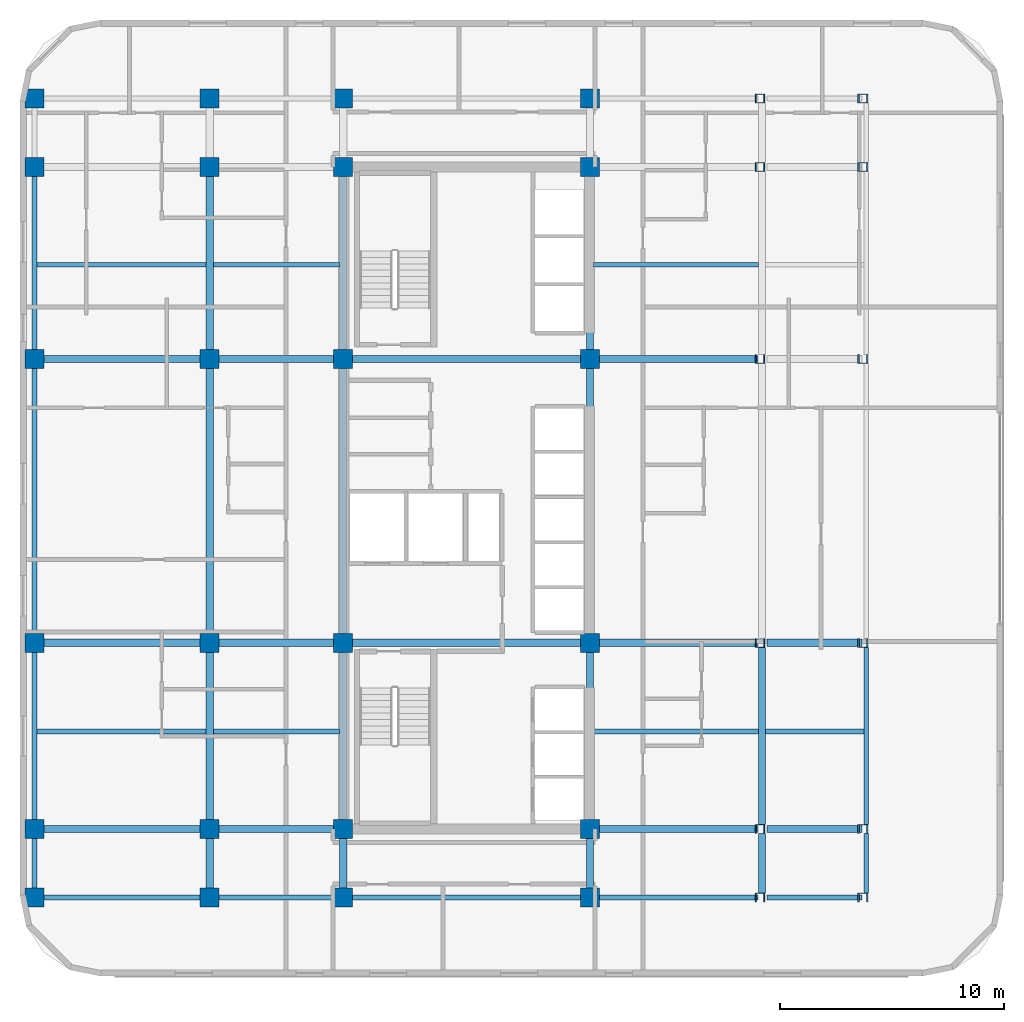
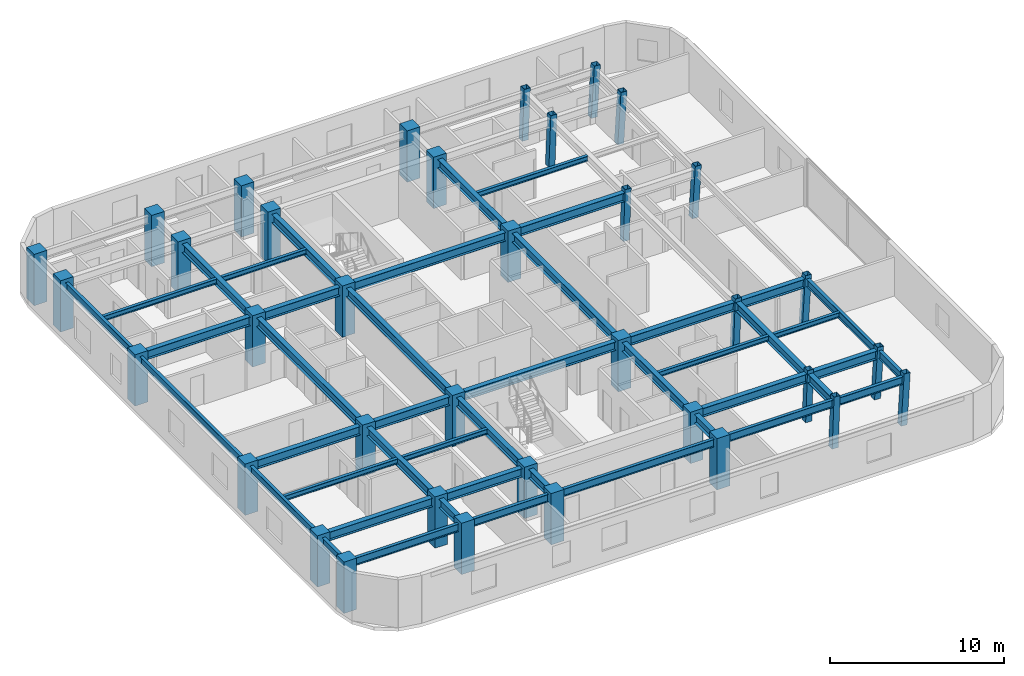
# One storey, part 1 of 12: 45 beams, 36 columns.
"""IFC4 building model written with IfcOpenShell, lengths in metres."""

from ifc_helpers import new_model, si_unit, direction, frame, origin, origin_2d, place, context, subcontext, project, spatial, rectangle, hollow_rectangle, i_section, extrude, material, material_profile, profile_set, type_object, element, save


model = new_model("IFC4")

# Units and contexts
model_context = context("Model", 3, precision=1e-05, world=origin(), true_north=direction((0.0, 1.0)))
body_context = subcontext(model_context, "Body", "Model", "MODEL_VIEW")
ifc_project = project(units=[si_unit("LENGTHUNIT", "METRE"), si_unit("AREAUNIT", "SQUARE_METRE"), si_unit("VOLUMEUNIT", "CUBIC_METRE"), si_unit("PLANEANGLEUNIT", "RADIAN"), si_unit("MASSUNIT", "GRAM", prefix="KILO")], contexts=[model_context])

# Site, building, storey
site_placement = place(None, origin())
site = spatial("IfcSite", under=ifc_project, at=site_placement, CompositionType="ELEMENT")
building_placement = place(site_placement, origin())
building = spatial("IfcBuilding", under=site, at=building_placement, Name="Ochreholt Gables", CompositionType="ELEMENT")
storey_placement = place(building_placement, frame((0.0, 0.0, 80.39990234375)))
storey = spatial("IfcBuildingStorey", under=building, at=storey_placement, Name="L20", CompositionType="ELEMENT", Elevation=80.39990234375)

# Columns
ifc_material_1 = material(Name="Steel CSA G40.21 350W", Category="steel")
ifc_material_profile_1 = material_profile(ifc_material_1, hollow_rectangle(XDim=0.406005859375, YDim=0.406005859375, WallThickness=0.01611328125, at=origin_2d()), Name="HSS406X406X16")
ifc_profile_set_1 = profile_set([ifc_material_profile_1], Name="Steel CSA G40.21 350W")
column_type_1 = type_object("IfcColumnType", Name="COL-HSS406-RAK", PredefinedType="COLUMN", material=ifc_profile_set_1)
for number, where, z_axis, x_axis, name in (
    (1, (42.75, 9.25, 0.0), (0.034971136209, 0.0, 0.999388322742), (0.0, 1.0, 0.0), "L20 Column EMY2"),
    (2, (42.75, 17.550048828125, 0.0), (0.034971136209, 0.0, 0.999388322742), (0.0, 1.0, 0.0), "L20 Column EMY3"),
    (3, (42.75, 30.199951171875, 0.0), (0.034971136209, 0.0, 0.999388322742), (0.0, 1.0, 0.0), "L20 Column EMY4"),
    (4, (42.75, 38.75, 0.0), (0.034971136209, 0.0, 0.999388322742), (0.0, 1.0, 0.0), "L20 Column EMY5"),
):
    element("IfcColumn", number, at=place(storey_placement, frame(where, z_axis=z_axis, x_axis=x_axis)), inside=storey, type_object=column_type_1, Name=name, PredefinedType="COLUMN", context=body_context, shape_type="SweptSolid", body=[
        extrude(hollow_rectangle(XDim=0.406005859375, YDim=0.406005859375, WallThickness=0.01611328125, at=origin_2d()), origin(), (0.0, 0.0, 1.0), 3.602294921875),
    ])
ifc_material_profile_2 = material_profile(ifc_material_1, hollow_rectangle(XDim=0.406005859375, YDim=0.406005859375, WallThickness=0.01611328125, at=origin_2d()), Name="HSS406X406X16")
ifc_profile_set_2 = profile_set([ifc_material_profile_2], Name="Steel CSA G40.21 350W")
column_type_2 = type_object("IfcColumnType", Name="COL-HSS406-RAKE", PredefinedType="COLUMN", material=ifc_profile_set_2)
for number, where, z_axis, x_axis, name in (
    (5, (42.75, 6.199951171875, 0.0), (0.034971136209, 0.0, 0.999388322742), (0.0, 1.0, 0.0), "L20 Column EMY1"),
    (6, (42.75, 41.800048828125, 0.0), (0.034971136209, 0.0, 0.999388322742), (0.0, 1.0, 0.0), "L20 Column EMY6"),
):
    element("IfcColumn", number, at=place(storey_placement, frame(where, z_axis=z_axis, x_axis=x_axis)), inside=storey, type_object=column_type_2, Name=name, PredefinedType="COLUMN", context=body_context, shape_type="SweptSolid", body=[
        extrude(hollow_rectangle(XDim=0.406005859375, YDim=0.406005859375, WallThickness=0.01611328125, at=origin_2d()), origin(), (0.0, 0.0, 1.0), 3.602294921875),
    ])
for number, where, z_axis, x_axis, name in (
    (7, (47.320068359375, 6.199951171875, 0.0), (0.057884606321, 0.0, 0.998323280481), (0.0, 1.0, 0.0), "L20 Column EEY1"),
    (8, (47.320068359375, 9.25, 0.0), (0.057884606321, 0.0, 0.998323280481), (0.0, 1.0, 0.0), "L20 Column EEY2"),
    (9, (47.320068359375, 17.550048828125, 0.0), (0.057884606321, 0.0, 0.998323280481), (0.0, 1.0, 0.0), "L20 Column EEY3"),
    (10, (47.320068359375, 30.199951171875, 0.0), (0.057884606321, 0.0, 0.998323280481), (0.0, 1.0, 0.0), "L20 Column EEY4"),
    (11, (47.320068359375, 38.75, 0.0), (0.057884606321, 0.0, 0.998323280481), (0.0, 1.0, 0.0), "L20 Column EEY5"),
    (12, (47.320068359375, 41.800048828125, 0.0), (0.057884606321, 0.0, 0.998323280481), (0.0, 1.0, 0.0), "L20 Column EEY6"),
):
    element("IfcColumn", number, at=place(storey_placement, frame(where, z_axis=z_axis, x_axis=x_axis)), inside=storey, type_object=column_type_2, Name=name, PredefinedType="COLUMN", context=body_context, shape_type="SweptSolid", body=[
        extrude(hollow_rectangle(XDim=0.406005859375, YDim=0.406005859375, WallThickness=0.01611328125, at=origin_2d()), origin(), (0.0, 0.0, 1.0), 3.606201171875),
    ])
ifc_material_2 = material(Name="Concrete 60 MPa", Category="concrete")
ifc_material_profile_3 = material_profile(ifc_material_2, rectangle(XDim=0.85009765625, YDim=0.85009765625, at=origin_2d()), Name="RC850X850")
ifc_profile_set_3 = profile_set([ifc_material_profile_3], Name="Concrete 60 MPa")
column_type_3 = type_object("IfcColumnType", Name="COL-RC850-EXT", PredefinedType="COLUMN", material=ifc_profile_set_3)
for number, where, z_axis, x_axis, name in (
    (13, (10.449951171875, 6.199951171875, 0.0), (0.0, 0.0, 1.0), (1.0, 0.0, 0.0), "L20 Column W2Y1"),
    (14, (10.449951171875, 9.25, 0.0), (0.0, 0.0, 1.0), (1.0, 0.0, 0.0), "L20 Column W2Y2"),
    (15, (10.449951171875, 17.550048828125, 0.0), (0.0, 0.0, 1.0), (1.0, 0.0, 0.0), "L20 Column W2Y3"),
    (16, (10.449951171875, 30.199951171875, 0.0), (0.0, 0.0, 1.0), (1.0, 0.0, 0.0), "L20 Column W2Y4"),
    (17, (10.449951171875, 38.75, 0.0), (0.0, 0.0, 1.0), (1.0, 0.0, 0.0), "L20 Column W2Y5"),
    (18, (10.449951171875, 41.800048828125, 0.0), (0.0, 0.0, 1.0), (1.0, 0.0, 0.0), "L20 Column W2Y6"),
    (19, (18.25, 6.199951171875, 0.0), (0.0, 0.0, 1.0), (1.0, 0.0, 0.0), "L20 Column W3Y1"),
    (20, (18.25, 41.800048828125, 0.0), (0.0, 0.0, 1.0), (1.0, 0.0, 0.0), "L20 Column W3Y6"),
    (21, (24.199951171875, 6.199951171875, 0.0), (0.0, 0.0, 1.0), (1.0, 0.0, 0.0), "L20 Column C1Y1"),
    (22, (24.199951171875, 41.800048828125, 0.0), (0.0, 0.0, 1.0), (1.0, 0.0, 0.0), "L20 Column C1Y6"),
    (23, (35.199951171875, 6.199951171875, 0.0), (0.0, 0.0, 1.0), (1.0, 0.0, 0.0), "L20 Column C2Y1"),
    (24, (35.199951171875, 41.800048828125, 0.0), (0.0, 0.0, 1.0), (1.0, 0.0, 0.0), "L20 Column C2Y6"),
):
    element("IfcColumn", number, at=place(storey_placement, frame(where, z_axis=z_axis, x_axis=x_axis)), inside=storey, type_object=column_type_3, Name=name, PredefinedType="COLUMN", context=body_context, shape_type="SweptSolid", body=[
        extrude(rectangle(XDim=0.85009765625, YDim=0.85009765625, at=origin_2d()), origin(), (0.0, 0.0, 1.0), 3.60009765625),
    ])
ifc_material_profile_4 = material_profile(ifc_material_2, rectangle(XDim=0.85009765625, YDim=0.85009765625, at=origin_2d()), Name="RC850X850")
ifc_profile_set_4 = profile_set([ifc_material_profile_4], Name="Concrete 60 MPa")
column_type_4 = type_object("IfcColumnType", Name="COL-RC850-INT", PredefinedType="COLUMN", material=ifc_profile_set_4)
for number, where, z_axis, x_axis, name in (
    (25, (18.25, 9.25, 0.0), (0.0, 0.0, 1.0), (1.0, 0.0, 0.0), "L20 Column W3Y2"),
    (26, (18.25, 17.550048828125, 0.0), (0.0, 0.0, 1.0), (1.0, 0.0, 0.0), "L20 Column W3Y3"),
    (27, (18.25, 30.199951171875, 0.0), (0.0, 0.0, 1.0), (1.0, 0.0, 0.0), "L20 Column W3Y4"),
    (28, (18.25, 38.75, 0.0), (0.0, 0.0, 1.0), (1.0, 0.0, 0.0), "L20 Column W3Y5"),
    (29, (24.199951171875, 9.25, 0.0), (0.0, 0.0, 1.0), (1.0, 0.0, 0.0), "L20 Column C1Y2"),
    (30, (24.199951171875, 17.550048828125, 0.0), (0.0, 0.0, 1.0), (1.0, 0.0, 0.0), "L20 Column C1Y3"),
    (31, (24.199951171875, 30.199951171875, 0.0), (0.0, 0.0, 1.0), (1.0, 0.0, 0.0), "L20 Column C1Y4"),
    (32, (24.199951171875, 38.75, 0.0), (0.0, 0.0, 1.0), (1.0, 0.0, 0.0), "L20 Column C1Y5"),
    (33, (35.199951171875, 9.25, 0.0), (0.0, 0.0, 1.0), (1.0, 0.0, 0.0), "L20 Column C2Y2"),
    (34, (35.199951171875, 17.550048828125, 0.0), (0.0, 0.0, 1.0), (1.0, 0.0, 0.0), "L20 Column C2Y3"),
    (35, (35.199951171875, 30.199951171875, 0.0), (0.0, 0.0, 1.0), (1.0, 0.0, 0.0), "L20 Column C2Y4"),
    (36, (35.199951171875, 38.75, 0.0), (0.0, 0.0, 1.0), (1.0, 0.0, 0.0), "L20 Column C2Y5"),
):
    element("IfcColumn", number, at=place(storey_placement, frame(where, z_axis=z_axis, x_axis=x_axis)), inside=storey, type_object=column_type_4, Name=name, PredefinedType="COLUMN", context=body_context, shape_type="SweptSolid", body=[
        extrude(rectangle(XDim=0.85009765625, YDim=0.85009765625, at=origin_2d()), origin(), (0.0, 0.0, 1.0), 3.60009765625),
    ])

# Beams
ifc_material_profile_5 = material_profile(ifc_material_1, i_section(OverallWidth=0.323974609375, OverallDepth=0.611083984375, WebThickness=0.0126953125, FlangeThickness=0.01904296875, at=origin_2d()), Name="W610X155")
ifc_profile_set_5 = profile_set([ifc_material_profile_5], Name="Steel CSA G40.21 350W")
beam_type_1 = type_object("IfcBeamType", Name="BM-G-W610A", PredefinedType="BEAM", material=ifc_profile_set_5)
beam_1_placement = place(storey_placement, frame((10.87451171875, 9.25, 3.0546875), z_axis=(1.0, 0.0, 0.0), x_axis=(0.0, 1.0, 0.0)))
element("IfcBeam", 37, at=beam_1_placement, inside=storey, type_object=beam_type_1, Name="L20 Beam TBG-L20-W2W3-Y2", PredefinedType="BEAM", context=body_context, shape_type="SweptSolid", body=[
    extrude(i_section(OverallWidth=0.323974609375, OverallDepth=0.611083984375, WebThickness=0.0126953125, FlangeThickness=0.01904296875, at=origin_2d()), origin(), (0.0, 0.0, 1.0), 6.950927734375),
])
beam_2_placement = place(storey_placement, frame((18.674560546875, 9.25, 3.0546875), z_axis=(1.0, 0.0, 0.0), x_axis=(0.0, 1.0, 0.0)))
element("IfcBeam", 38, at=beam_2_placement, inside=storey, type_object=beam_type_1, Name="L20 Beam TBG-L20-W3C1-Y2", PredefinedType="BEAM", context=body_context, shape_type="SweptSolid", body=[
    extrude(i_section(OverallWidth=0.323974609375, OverallDepth=0.611083984375, WebThickness=0.0126953125, FlangeThickness=0.01904296875, at=origin_2d()), origin(), (0.0, 0.0, 1.0), 5.100830078125),
])
beam_3_placement = place(storey_placement, frame((35.62451171875, 9.25, 3.0546875), z_axis=(1.0, 0.0, 0.0), x_axis=(0.0, 1.0, 0.0)))
element("IfcBeam", 39, at=beam_3_placement, inside=storey, type_object=beam_type_1, Name="L20 Beam TBG-L20-C2EM-Y2", PredefinedType="BEAM", context=body_context, shape_type="SweptSolid", body=[
    extrude(i_section(OverallWidth=0.323974609375, OverallDepth=0.611083984375, WebThickness=0.0126953125, FlangeThickness=0.01904296875, at=origin_2d()), origin(), (0.0, 0.0, 1.0), 7.048828125),
])
beam_4_placement = place(storey_placement, frame((43.07861328125, 9.25, 3.0546875), z_axis=(1.0, 0.0, 0.0), x_axis=(0.0, 1.0, 0.0)))
element("IfcBeam", 40, at=beam_4_placement, inside=storey, type_object=beam_type_1, Name="L20 Beam TBG-L20-EMEE-Y2", PredefinedType="BEAM", context=body_context, shape_type="SweptSolid", body=[
    extrude(i_section(OverallWidth=0.323974609375, OverallDepth=0.611083984375, WebThickness=0.0126953125, FlangeThickness=0.01904296875, at=origin_2d()), origin(), (0.0, 0.0, 1.0), 4.24755859375),
])
beam_5_placement = place(storey_placement, frame((10.87451171875, 17.550048828125, 3.0546875), z_axis=(1.0, 0.0, 0.0), x_axis=(0.0, 1.0, 0.0)))
element("IfcBeam", 41, at=beam_5_placement, inside=storey, type_object=beam_type_1, Name="L20 Beam TBG-L20-W2W3-Y3", PredefinedType="BEAM", context=body_context, shape_type="SweptSolid", body=[
    extrude(i_section(OverallWidth=0.323974609375, OverallDepth=0.611083984375, WebThickness=0.0126953125, FlangeThickness=0.01904296875, at=origin_2d()), origin(), (0.0, 0.0, 1.0), 6.950927734375),
])
beam_6_placement = place(storey_placement, frame((18.674560546875, 17.550048828125, 3.0546875), z_axis=(1.0, 0.0, 0.0), x_axis=(0.0, 1.0, 0.0)))
element("IfcBeam", 42, at=beam_6_placement, inside=storey, type_object=beam_type_1, Name="L20 Beam TBG-L20-W3C1-Y3", PredefinedType="BEAM", context=body_context, shape_type="SweptSolid", body=[
    extrude(i_section(OverallWidth=0.323974609375, OverallDepth=0.611083984375, WebThickness=0.0126953125, FlangeThickness=0.01904296875, at=origin_2d()), origin(), (0.0, 0.0, 1.0), 5.100830078125),
])
beam_7_placement = place(storey_placement, frame((24.62451171875, 17.550048828125, 3.0546875), z_axis=(1.0, 0.0, 0.0), x_axis=(0.0, 1.0, 0.0)))
element("IfcBeam", 43, at=beam_7_placement, inside=storey, type_object=beam_type_1, Name="L20 Beam TBG-L20-C1C2-Y3", PredefinedType="BEAM", context=body_context, shape_type="SweptSolid", body=[
    extrude(i_section(OverallWidth=0.323974609375, OverallDepth=0.611083984375, WebThickness=0.0126953125, FlangeThickness=0.01904296875, at=origin_2d()), origin(), (0.0, 0.0, 1.0), 10.15087890625),
])
beam_8_placement = place(storey_placement, frame((35.62451171875, 17.550048828125, 3.0546875), z_axis=(1.0, 0.0, 0.0), x_axis=(0.0, 1.0, 0.0)))
element("IfcBeam", 44, at=beam_8_placement, inside=storey, type_object=beam_type_1, Name="L20 Beam TBG-L20-C2EM-Y3", PredefinedType="BEAM", context=body_context, shape_type="SweptSolid", body=[
    extrude(i_section(OverallWidth=0.323974609375, OverallDepth=0.611083984375, WebThickness=0.0126953125, FlangeThickness=0.01904296875, at=origin_2d()), origin(), (0.0, 0.0, 1.0), 7.048828125),
])
beam_9_placement = place(storey_placement, frame((43.07861328125, 17.550048828125, 3.0546875), z_axis=(1.0, 0.0, 0.0), x_axis=(0.0, 1.0, 0.0)))
element("IfcBeam", 45, at=beam_9_placement, inside=storey, type_object=beam_type_1, Name="L20 Beam TBG-L20-EMEE-Y3", PredefinedType="BEAM", context=body_context, shape_type="SweptSolid", body=[
    extrude(i_section(OverallWidth=0.323974609375, OverallDepth=0.611083984375, WebThickness=0.0126953125, FlangeThickness=0.01904296875, at=origin_2d()), origin(), (0.0, 0.0, 1.0), 4.24755859375),
])
beam_10_placement = place(storey_placement, frame((10.87451171875, 30.199951171875, 3.0546875), z_axis=(1.0, 0.0, 0.0), x_axis=(0.0, 1.0, 0.0)))
element("IfcBeam", 46, at=beam_10_placement, inside=storey, type_object=beam_type_1, Name="L20 Beam TBG-L20-W2W3-Y4", PredefinedType="BEAM", context=body_context, shape_type="SweptSolid", body=[
    extrude(i_section(OverallWidth=0.323974609375, OverallDepth=0.611083984375, WebThickness=0.0126953125, FlangeThickness=0.01904296875, at=origin_2d()), origin(), (0.0, 0.0, 1.0), 6.950927734375),
])
beam_11_placement = place(storey_placement, frame((18.674560546875, 30.199951171875, 3.0546875), z_axis=(1.0, 0.0, 0.0), x_axis=(0.0, 1.0, 0.0)))
element("IfcBeam", 47, at=beam_11_placement, inside=storey, type_object=beam_type_1, Name="L20 Beam TBG-L20-W3C1-Y4", PredefinedType="BEAM", context=body_context, shape_type="SweptSolid", body=[
    extrude(i_section(OverallWidth=0.323974609375, OverallDepth=0.611083984375, WebThickness=0.0126953125, FlangeThickness=0.01904296875, at=origin_2d()), origin(), (0.0, 0.0, 1.0), 5.100830078125),
])
beam_12_placement = place(storey_placement, frame((24.62451171875, 30.199951171875, 3.0546875), z_axis=(1.0, 0.0, 0.0), x_axis=(0.0, 1.0, 0.0)))
element("IfcBeam", 48, at=beam_12_placement, inside=storey, type_object=beam_type_1, Name="L20 Beam TBG-L20-C1C2-Y4", PredefinedType="BEAM", context=body_context, shape_type="SweptSolid", body=[
    extrude(i_section(OverallWidth=0.323974609375, OverallDepth=0.611083984375, WebThickness=0.0126953125, FlangeThickness=0.01904296875, at=origin_2d()), origin(), (0.0, 0.0, 1.0), 10.15087890625),
])
beam_13_placement = place(storey_placement, frame((35.62451171875, 30.199951171875, 3.0546875), z_axis=(1.0, 0.0, 0.0), x_axis=(0.0, 1.0, 0.0)))
element("IfcBeam", 49, at=beam_13_placement, inside=storey, type_object=beam_type_1, Name="L20 Beam TBG-L20-C2EM-Y4", PredefinedType="BEAM", context=body_context, shape_type="SweptSolid", body=[
    extrude(i_section(OverallWidth=0.323974609375, OverallDepth=0.611083984375, WebThickness=0.0126953125, FlangeThickness=0.01904296875, at=origin_2d()), origin(), (0.0, 0.0, 1.0), 7.048828125),
])
beam_14_placement = place(storey_placement, frame((18.25, 6.62451171875, 3.0546875), z_axis=(0.0, 1.0, 0.0), x_axis=(-1.0, 0.0, 0.0)))
element("IfcBeam", 50, at=beam_14_placement, inside=storey, type_object=beam_type_1, Name="L20 Beam TBN-L20-W3-Y1Y2", PredefinedType="BEAM", context=body_context, shape_type="SweptSolid", body=[
    extrude(i_section(OverallWidth=0.323974609375, OverallDepth=0.611083984375, WebThickness=0.0126953125, FlangeThickness=0.01904296875, at=origin_2d()), origin(), (0.0, 0.0, 1.0), 2.200927734375),
])
beam_15_placement = place(storey_placement, frame((18.25, 9.674560546875, 3.0546875), z_axis=(0.0, 1.0, 0.0), x_axis=(-1.0, 0.0, 0.0)))
element("IfcBeam", 51, at=beam_15_placement, inside=storey, type_object=beam_type_1, Name="L20 Beam TBN-L20-W3-Y2Y3", PredefinedType="BEAM", context=body_context, shape_type="SweptSolid", body=[
    extrude(i_section(OverallWidth=0.323974609375, OverallDepth=0.611083984375, WebThickness=0.0126953125, FlangeThickness=0.01904296875, at=origin_2d()), origin(), (0.0, 0.0, 1.0), 7.450927734375),
])
beam_16_placement = place(storey_placement, frame((18.25, 17.974609375, 3.0546875), z_axis=(0.0, 1.0, 0.0), x_axis=(-1.0, 0.0, 0.0)))
element("IfcBeam", 52, at=beam_16_placement, inside=storey, type_object=beam_type_1, Name="L20 Beam TBN-L20-W3-Y3Y4", PredefinedType="BEAM", context=body_context, shape_type="SweptSolid", body=[
    extrude(i_section(OverallWidth=0.323974609375, OverallDepth=0.611083984375, WebThickness=0.0126953125, FlangeThickness=0.01904296875, at=origin_2d()), origin(), (0.0, 0.0, 1.0), 11.80078125),
])
beam_17_placement = place(storey_placement, frame((18.25, 30.62451171875, 3.0546875), z_axis=(0.0, 1.0, 0.0), x_axis=(-1.0, 0.0, 0.0)))
element("IfcBeam", 53, at=beam_17_placement, inside=storey, type_object=beam_type_1, Name="L20 Beam TBN-L20-W3-Y4Y5", PredefinedType="BEAM", context=body_context, shape_type="SweptSolid", body=[
    extrude(i_section(OverallWidth=0.323974609375, OverallDepth=0.611083984375, WebThickness=0.0126953125, FlangeThickness=0.01904296875, at=origin_2d()), origin(), (0.0, 0.0, 1.0), 7.700927734375),
])
beam_18_placement = place(storey_placement, frame((24.199951171875, 6.62451171875, 3.0546875), z_axis=(0.0, 1.0, 0.0), x_axis=(-1.0, 0.0, 0.0)))
element("IfcBeam", 54, at=beam_18_placement, inside=storey, type_object=beam_type_1, Name="L20 Beam TBN-L20-C1-Y1Y2", PredefinedType="BEAM", context=body_context, shape_type="SweptSolid", body=[
    extrude(i_section(OverallWidth=0.323974609375, OverallDepth=0.611083984375, WebThickness=0.0126953125, FlangeThickness=0.01904296875, at=origin_2d()), origin(), (0.0, 0.0, 1.0), 2.200927734375),
])
beam_19_placement = place(storey_placement, frame((24.199951171875, 9.674560546875, 3.0546875), z_axis=(0.0, 1.0, 0.0), x_axis=(-1.0, 0.0, 0.0)))
element("IfcBeam", 55, at=beam_19_placement, inside=storey, type_object=beam_type_1, Name="L20 Beam TBN-L20-C1-Y2Y3", PredefinedType="BEAM", context=body_context, shape_type="SweptSolid", body=[
    extrude(i_section(OverallWidth=0.323974609375, OverallDepth=0.611083984375, WebThickness=0.0126953125, FlangeThickness=0.01904296875, at=origin_2d()), origin(), (0.0, 0.0, 1.0), 7.450927734375),
])
beam_20_placement = place(storey_placement, frame((24.199951171875, 17.974609375, 3.0546875), z_axis=(0.0, 1.0, 0.0), x_axis=(-1.0, 0.0, 0.0)))
element("IfcBeam", 56, at=beam_20_placement, inside=storey, type_object=beam_type_1, Name="L20 Beam TBN-L20-C1-Y3Y4", PredefinedType="BEAM", context=body_context, shape_type="SweptSolid", body=[
    extrude(i_section(OverallWidth=0.323974609375, OverallDepth=0.611083984375, WebThickness=0.0126953125, FlangeThickness=0.01904296875, at=origin_2d()), origin(), (0.0, 0.0, 1.0), 11.80078125),
])
beam_21_placement = place(storey_placement, frame((24.199951171875, 30.62451171875, 3.0546875), z_axis=(0.0, 1.0, 0.0), x_axis=(-1.0, 0.0, 0.0)))
element("IfcBeam", 57, at=beam_21_placement, inside=storey, type_object=beam_type_1, Name="L20 Beam TBN-L20-C1-Y4Y5", PredefinedType="BEAM", context=body_context, shape_type="SweptSolid", body=[
    extrude(i_section(OverallWidth=0.323974609375, OverallDepth=0.611083984375, WebThickness=0.0126953125, FlangeThickness=0.01904296875, at=origin_2d()), origin(), (0.0, 0.0, 1.0), 7.700927734375),
])
beam_22_placement = place(storey_placement, frame((35.199951171875, 6.62451171875, 3.0546875), z_axis=(0.0, 1.0, 0.0), x_axis=(-1.0, 0.0, 0.0)))
element("IfcBeam", 58, at=beam_22_placement, inside=storey, type_object=beam_type_1, Name="L20 Beam TBN-L20-C2-Y1Y2", PredefinedType="BEAM", context=body_context, shape_type="SweptSolid", body=[
    extrude(i_section(OverallWidth=0.323974609375, OverallDepth=0.611083984375, WebThickness=0.0126953125, FlangeThickness=0.01904296875, at=origin_2d()), origin(), (0.0, 0.0, 1.0), 2.200927734375),
])
beam_23_placement = place(storey_placement, frame((35.199951171875, 9.674560546875, 3.0546875), z_axis=(0.0, 1.0, 0.0), x_axis=(-1.0, 0.0, 0.0)))
element("IfcBeam", 59, at=beam_23_placement, inside=storey, type_object=beam_type_1, Name="L20 Beam TBN-L20-C2-Y2Y3", PredefinedType="BEAM", context=body_context, shape_type="SweptSolid", body=[
    extrude(i_section(OverallWidth=0.323974609375, OverallDepth=0.611083984375, WebThickness=0.0126953125, FlangeThickness=0.01904296875, at=origin_2d()), origin(), (0.0, 0.0, 1.0), 7.450927734375),
])
beam_24_placement = place(storey_placement, frame((35.199951171875, 17.974609375, 3.0546875), z_axis=(0.0, 1.0, 0.0), x_axis=(-1.0, 0.0, 0.0)))
element("IfcBeam", 60, at=beam_24_placement, inside=storey, type_object=beam_type_1, Name="L20 Beam TBN-L20-C2-Y3Y4", PredefinedType="BEAM", context=body_context, shape_type="SweptSolid", body=[
    extrude(i_section(OverallWidth=0.323974609375, OverallDepth=0.611083984375, WebThickness=0.0126953125, FlangeThickness=0.01904296875, at=origin_2d()), origin(), (0.0, 0.0, 1.0), 11.80078125),
])
beam_25_placement = place(storey_placement, frame((35.199951171875, 30.62451171875, 3.0546875), z_axis=(0.0, 1.0, 0.0), x_axis=(-1.0, 0.0, 0.0)))
element("IfcBeam", 61, at=beam_25_placement, inside=storey, type_object=beam_type_1, Name="L20 Beam TBN-L20-C2-Y4Y5", PredefinedType="BEAM", context=body_context, shape_type="SweptSolid", body=[
    extrude(i_section(OverallWidth=0.323974609375, OverallDepth=0.611083984375, WebThickness=0.0126953125, FlangeThickness=0.01904296875, at=origin_2d()), origin(), (0.0, 0.0, 1.0), 7.700927734375),
])
beam_26_placement = place(storey_placement, frame((42.85888671875, 6.402587890625, 3.0546875), z_axis=(0.0, 1.0, 0.0), x_axis=(-1.0, 0.0, 0.0)))
element("IfcBeam", 62, at=beam_26_placement, inside=storey, type_object=beam_type_1, Name="L20 Beam TBN-L20-EM-Y1Y2", PredefinedType="BEAM", context=body_context, shape_type="SweptSolid", body=[
    extrude(i_section(OverallWidth=0.323974609375, OverallDepth=0.611083984375, WebThickness=0.0126953125, FlangeThickness=0.01904296875, at=origin_2d()), origin(), (0.0, 0.0, 1.0), 2.644775390625),
])
beam_27_placement = place(storey_placement, frame((42.85888671875, 9.45263671875, 3.0546875), z_axis=(0.0, 1.0, 0.0), x_axis=(-1.0, 0.0, 0.0)))
element("IfcBeam", 63, at=beam_27_placement, inside=storey, type_object=beam_type_1, Name="L20 Beam TBN-L20-EM-Y2Y3", PredefinedType="BEAM", context=body_context, shape_type="SweptSolid", body=[
    extrude(i_section(OverallWidth=0.323974609375, OverallDepth=0.611083984375, WebThickness=0.0126953125, FlangeThickness=0.01904296875, at=origin_2d()), origin(), (0.0, 0.0, 1.0), 7.894775390625),
])
ifc_material_profile_6 = material_profile(ifc_material_1, i_section(OverallWidth=0.205078125, OverallDepth=0.35400390625, WebThickness=0.009521484375, FlangeThickness=0.016845703125, at=origin_2d()), Name="W360X79")
ifc_profile_set_6 = profile_set([ifc_material_profile_6], Name="Steel CSA G40.21 350W")
beam_type_2 = type_object("IfcBeamType", Name="BM-J-W360A", PredefinedType="JOIST", material=ifc_profile_set_6)
beam_28_placement = place(storey_placement, frame((10.55419921875, 13.60009765625, 3.18310546875), z_axis=(1.0, 0.0, 0.0), x_axis=(0.0, 1.0, 0.0)))
element("IfcBeam", 64, at=beam_28_placement, inside=storey, type_object=beam_type_2, Name="L20 Beam TBJ-L20-J1-W2W3", PredefinedType="JOIST", context=body_context, shape_type="SweptSolid", body=[
    extrude(i_section(OverallWidth=0.205078125, OverallDepth=0.35400390625, WebThickness=0.009521484375, FlangeThickness=0.016845703125, at=origin_2d()), origin(), (0.0, 0.0, 1.0), 7.5341796875),
])
beam_29_placement = place(storey_placement, frame((18.41162109375, 13.60009765625, 3.18310546875), z_axis=(1.0, 0.0, 0.0), x_axis=(0.0, 1.0, 0.0)))
element("IfcBeam", 65, at=beam_29_placement, inside=storey, type_object=beam_type_2, Name="L20 Beam TBJ-L20-J1-W3C1", PredefinedType="JOIST", context=body_context, shape_type="SweptSolid", body=[
    extrude(i_section(OverallWidth=0.205078125, OverallDepth=0.35400390625, WebThickness=0.009521484375, FlangeThickness=0.016845703125, at=origin_2d()), origin(), (0.0, 0.0, 1.0), 5.626708984375),
])
beam_30_placement = place(storey_placement, frame((35.361572265625, 13.60009765625, 3.18310546875), z_axis=(1.0, 0.0, 0.0), x_axis=(0.0, 1.0, 0.0)))
element("IfcBeam", 66, at=beam_30_placement, inside=storey, type_object=beam_type_2, Name="L20 Beam TBJ-L20-J1-C2EM", PredefinedType="JOIST", context=body_context, shape_type="SweptSolid", body=[
    extrude(i_section(OverallWidth=0.205078125, OverallDepth=0.35400390625, WebThickness=0.009521484375, FlangeThickness=0.016845703125, at=origin_2d()), origin(), (0.0, 0.0, 1.0), 7.335693359375),
])
beam_31_placement = place(storey_placement, frame((43.0205078125, 13.60009765625, 3.18310546875), z_axis=(1.0, 0.0, 0.0), x_axis=(0.0, 1.0, 0.0)))
element("IfcBeam", 67, at=beam_31_placement, inside=storey, type_object=beam_type_2, Name="L20 Beam TBJ-L20-J1-EMEE", PredefinedType="JOIST", context=body_context, shape_type="SweptSolid", body=[
    extrude(i_section(OverallWidth=0.205078125, OverallDepth=0.35400390625, WebThickness=0.009521484375, FlangeThickness=0.016845703125, at=origin_2d()), origin(), (0.0, 0.0, 1.0), 4.375732421875),
])
beam_32_placement = place(storey_placement, frame((10.55419921875, 34.39990234375, 3.18310546875), z_axis=(1.0, 0.0, 0.0), x_axis=(0.0, 1.0, 0.0)))
element("IfcBeam", 68, at=beam_32_placement, inside=storey, type_object=beam_type_2, Name="L20 Beam TBJ-L20-J2-W2W3", PredefinedType="JOIST", context=body_context, shape_type="SweptSolid", body=[
    extrude(i_section(OverallWidth=0.205078125, OverallDepth=0.35400390625, WebThickness=0.009521484375, FlangeThickness=0.016845703125, at=origin_2d()), origin(), (0.0, 0.0, 1.0), 7.5341796875),
])
beam_33_placement = place(storey_placement, frame((18.41162109375, 34.39990234375, 3.18310546875), z_axis=(1.0, 0.0, 0.0), x_axis=(0.0, 1.0, 0.0)))
element("IfcBeam", 69, at=beam_33_placement, inside=storey, type_object=beam_type_2, Name="L20 Beam TBJ-L20-J2-W3C1", PredefinedType="JOIST", context=body_context, shape_type="SweptSolid", body=[
    extrude(i_section(OverallWidth=0.205078125, OverallDepth=0.35400390625, WebThickness=0.009521484375, FlangeThickness=0.016845703125, at=origin_2d()), origin(), (0.0, 0.0, 1.0), 5.626708984375),
])
beam_34_placement = place(storey_placement, frame((35.361572265625, 34.39990234375, 3.18310546875), z_axis=(1.0, 0.0, 0.0), x_axis=(0.0, 1.0, 0.0)))
element("IfcBeam", 70, at=beam_34_placement, inside=storey, type_object=beam_type_2, Name="L20 Beam TBJ-L20-J2-C2EM", PredefinedType="JOIST", context=body_context, shape_type="SweptSolid", body=[
    extrude(i_section(OverallWidth=0.205078125, OverallDepth=0.35400390625, WebThickness=0.009521484375, FlangeThickness=0.016845703125, at=origin_2d()), origin(), (0.0, 0.0, 1.0), 7.335693359375),
])
ifc_material_profile_7 = material_profile(ifc_material_1, i_section(OverallWidth=0.208984375, OverallDepth=0.532958984375, WebThickness=0.01025390625, FlangeThickness=0.015625, at=origin_2d()), Name="W530X92")
ifc_profile_set_7 = profile_set([ifc_material_profile_7], Name="Steel CSA G40.21 350W")
beam_type_3 = type_object("IfcBeamType", Name="BM-SP-W530B", PredefinedType="SPANDREL", material=ifc_profile_set_7)
beam_35_placement = place(storey_placement, frame((10.87451171875, 6.199951171875, 3.093505859375), z_axis=(1.0, 0.0, 0.0), x_axis=(0.0, 1.0, 0.0)))
element("IfcBeam", 71, at=beam_35_placement, inside=storey, type_object=beam_type_3, Name="L20 Beam TBG-L20-W2W3-Y1", PredefinedType="SPANDREL", context=body_context, shape_type="SweptSolid", body=[
    extrude(i_section(OverallWidth=0.208984375, OverallDepth=0.532958984375, WebThickness=0.01025390625, FlangeThickness=0.015625, at=origin_2d()), origin(), (0.0, 0.0, 1.0), 6.950927734375),
])
beam_36_placement = place(storey_placement, frame((18.674560546875, 6.199951171875, 3.093505859375), z_axis=(1.0, 0.0, 0.0), x_axis=(0.0, 1.0, 0.0)))
element("IfcBeam", 72, at=beam_36_placement, inside=storey, type_object=beam_type_3, Name="L20 Beam TBG-L20-W3C1-Y1", PredefinedType="SPANDREL", context=body_context, shape_type="SweptSolid", body=[
    extrude(i_section(OverallWidth=0.208984375, OverallDepth=0.532958984375, WebThickness=0.01025390625, FlangeThickness=0.015625, at=origin_2d()), origin(), (0.0, 0.0, 1.0), 5.100830078125),
])
beam_37_placement = place(storey_placement, frame((24.62451171875, 6.199951171875, 3.093505859375), z_axis=(1.0, 0.0, 0.0), x_axis=(0.0, 1.0, 0.0)))
element("IfcBeam", 73, at=beam_37_placement, inside=storey, type_object=beam_type_3, Name="L20 Beam TBG-L20-C1C2-Y1", PredefinedType="SPANDREL", context=body_context, shape_type="SweptSolid", body=[
    extrude(i_section(OverallWidth=0.208984375, OverallDepth=0.532958984375, WebThickness=0.01025390625, FlangeThickness=0.015625, at=origin_2d()), origin(), (0.0, 0.0, 1.0), 10.15087890625),
])
beam_38_placement = place(storey_placement, frame((35.62451171875, 6.199951171875, 3.093505859375), z_axis=(1.0, 0.0, 0.0), x_axis=(0.0, 1.0, 0.0)))
element("IfcBeam", 74, at=beam_38_placement, inside=storey, type_object=beam_type_3, Name="L20 Beam TBG-L20-C2EM-Y1", PredefinedType="SPANDREL", context=body_context, shape_type="SweptSolid", body=[
    extrude(i_section(OverallWidth=0.208984375, OverallDepth=0.532958984375, WebThickness=0.01025390625, FlangeThickness=0.015625, at=origin_2d()), origin(), (0.0, 0.0, 1.0), 7.048828125),
])
beam_39_placement = place(storey_placement, frame((43.07861328125, 6.199951171875, 3.093505859375), z_axis=(1.0, 0.0, 0.0), x_axis=(0.0, 1.0, 0.0)))
element("IfcBeam", 75, at=beam_39_placement, inside=storey, type_object=beam_type_3, Name="L20 Beam TBG-L20-EMEE-Y1", PredefinedType="SPANDREL", context=body_context, shape_type="SweptSolid", body=[
    extrude(i_section(OverallWidth=0.208984375, OverallDepth=0.532958984375, WebThickness=0.01025390625, FlangeThickness=0.015625, at=origin_2d()), origin(), (0.0, 0.0, 1.0), 4.24755859375),
])
beam_40_placement = place(storey_placement, frame((10.449951171875, 6.62451171875, 3.093505859375), z_axis=(0.0, 1.0, 0.0), x_axis=(-1.0, 0.0, 0.0)))
element("IfcBeam", 76, at=beam_40_placement, inside=storey, type_object=beam_type_3, Name="L20 Beam TBN-L20-W2-Y1Y2", PredefinedType="SPANDREL", context=body_context, shape_type="SweptSolid", body=[
    extrude(i_section(OverallWidth=0.208984375, OverallDepth=0.532958984375, WebThickness=0.01025390625, FlangeThickness=0.015625, at=origin_2d()), origin(), (0.0, 0.0, 1.0), 2.200927734375),
])
beam_41_placement = place(storey_placement, frame((10.449951171875, 9.674560546875, 3.093505859375), z_axis=(0.0, 1.0, 0.0), x_axis=(-1.0, 0.0, 0.0)))
element("IfcBeam", 77, at=beam_41_placement, inside=storey, type_object=beam_type_3, Name="L20 Beam TBN-L20-W2-Y2Y3", PredefinedType="SPANDREL", context=body_context, shape_type="SweptSolid", body=[
    extrude(i_section(OverallWidth=0.208984375, OverallDepth=0.532958984375, WebThickness=0.01025390625, FlangeThickness=0.015625, at=origin_2d()), origin(), (0.0, 0.0, 1.0), 7.450927734375),
])
beam_42_placement = place(storey_placement, frame((10.449951171875, 17.974609375, 3.093505859375), z_axis=(0.0, 1.0, 0.0), x_axis=(-1.0, 0.0, 0.0)))
element("IfcBeam", 78, at=beam_42_placement, inside=storey, type_object=beam_type_3, Name="L20 Beam TBN-L20-W2-Y3Y4", PredefinedType="SPANDREL", context=body_context, shape_type="SweptSolid", body=[
    extrude(i_section(OverallWidth=0.208984375, OverallDepth=0.532958984375, WebThickness=0.01025390625, FlangeThickness=0.015625, at=origin_2d()), origin(), (0.0, 0.0, 1.0), 11.80078125),
])
beam_43_placement = place(storey_placement, frame((10.449951171875, 30.62451171875, 3.093505859375), z_axis=(0.0, 1.0, 0.0), x_axis=(-1.0, 0.0, 0.0)))
element("IfcBeam", 79, at=beam_43_placement, inside=storey, type_object=beam_type_3, Name="L20 Beam TBN-L20-W2-Y4Y5", PredefinedType="SPANDREL", context=body_context, shape_type="SweptSolid", body=[
    extrude(i_section(OverallWidth=0.208984375, OverallDepth=0.532958984375, WebThickness=0.01025390625, FlangeThickness=0.015625, at=origin_2d()), origin(), (0.0, 0.0, 1.0), 7.700927734375),
])
beam_44_placement = place(storey_placement, frame((47.50048828125, 6.402587890625, 3.093505859375), z_axis=(0.0, 1.0, 0.0), x_axis=(-1.0, 0.0, 0.0)))
element("IfcBeam", 80, at=beam_44_placement, inside=storey, type_object=beam_type_3, Name="L20 Beam TBN-L20-EE-Y1Y2", PredefinedType="SPANDREL", context=body_context, shape_type="SweptSolid", body=[
    extrude(i_section(OverallWidth=0.208984375, OverallDepth=0.532958984375, WebThickness=0.01025390625, FlangeThickness=0.015625, at=origin_2d()), origin(), (0.0, 0.0, 1.0), 2.644775390625),
])
beam_45_placement = place(storey_placement, frame((47.50048828125, 9.45263671875, 3.093505859375), z_axis=(0.0, 1.0, 0.0), x_axis=(-1.0, 0.0, 0.0)))
element("IfcBeam", 81, at=beam_45_placement, inside=storey, type_object=beam_type_3, Name="L20 Beam TBN-L20-EE-Y2Y3", PredefinedType="SPANDREL", context=body_context, shape_type="SweptSolid", body=[
    extrude(i_section(OverallWidth=0.208984375, OverallDepth=0.532958984375, WebThickness=0.01025390625, FlangeThickness=0.015625, at=origin_2d()), origin(), (0.0, 0.0, 1.0), 7.894775390625),
])

save(model, "model.ifc")
